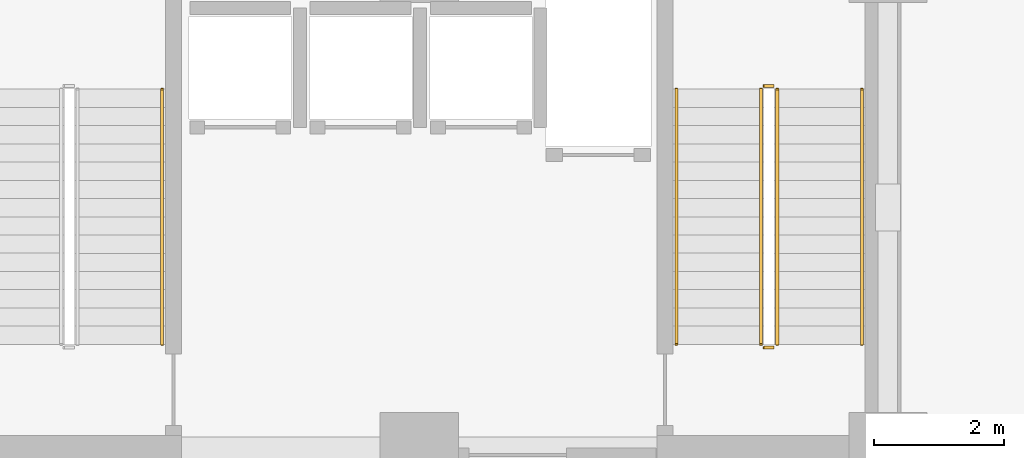
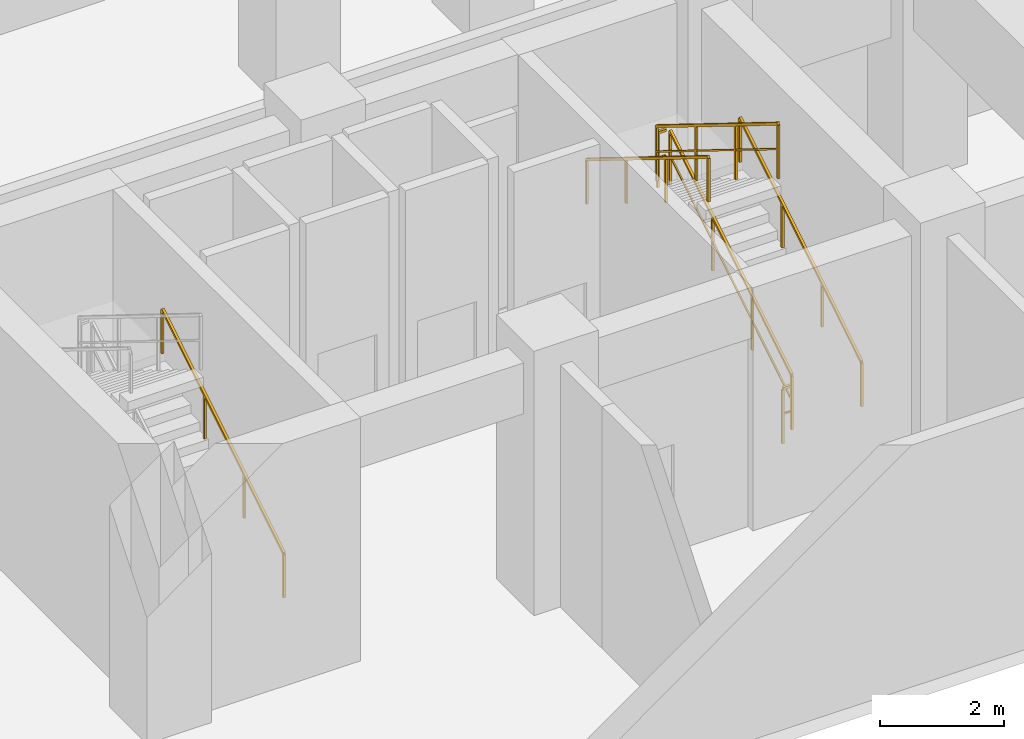
# One storey, part 7 of 8: 7 railings.
"""IFC4 building model written with IfcOpenShell, lengths in metres."""

from ifc_helpers import new_model, si_unit, direction, frame, origin, origin_2d, place, context, subcontext, project, spatial, rectangle, extrude, material, type_object, element, save


model = new_model("IFC4")

# Units and contexts
model_context = context("Model", 3, precision=1e-05, world=origin(), true_north=direction((0.0, 1.0)))
body_context = subcontext(model_context, "Body", "Model", "MODEL_VIEW")
ifc_project = project(units=[si_unit("LENGTHUNIT", "METRE"), si_unit("AREAUNIT", "SQUARE_METRE"), si_unit("VOLUMEUNIT", "CUBIC_METRE"), si_unit("PLANEANGLEUNIT", "RADIAN"), si_unit("MASSUNIT", "GRAM", prefix="KILO")], contexts=[model_context])

# Site, building, storey
site_placement = place(None, origin())
site = spatial("IfcSite", under=ifc_project, at=site_placement, CompositionType="ELEMENT")
building_placement = place(site_placement, origin())
building = spatial("IfcBuilding", under=site, at=building_placement, Name="Kaliganga Portal Commons", CompositionType="ELEMENT")
storey_placement = place(building_placement, frame((0.0, 0.0, 130.39990234375)))
storey = spatial("IfcBuildingStorey", under=building, at=storey_placement, Name="L33", CompositionType="ELEMENT", Elevation=130.39990234375)

# Railings
ifc_material_1 = material(Name="Galvanized Painted Steel Balustrade", Category="steel")
railing_type_1 = type_object("IfcRailingType", Name="RLG-STAIR-GRD", PredefinedType="GUARDRAIL", material=ifc_material_1)
railing_1_placement = place(storey_placement, frame((48.699951171875, 8.699951171875, 0.17333984375)))
element("IfcRailing", 1, at=railing_1_placement, inside=storey, type_object=railing_type_1, Name="L33 ST-B2 stair guard 1", PredefinedType="GUARDRAIL", context=body_context, shape_type="SweptSolid", body=[
    extrude(rectangle(XDim=0.048095703125, YDim=0.048095703125, at=origin_2d()), frame((0.0, 0.0, 1.07177734375), z_axis=(0.0, 0.850266275192, 0.526352791643), x_axis=(-1.0, 0.0, 0.0)), (0.0, 0.0, 1.0), 4.610595703125),
    extrude(rectangle(XDim=0.028076171875, YDim=0.028076171875, at=origin_2d()), frame((0.0, 0.0, 0.572021484375), z_axis=(0.0, 0.850266275192, 0.526352791643), x_axis=(-1.0, 0.0, 0.0)), (0.0, 0.0, 1.0), 4.610595703125),
    extrude(rectangle(XDim=0.0419921875, YDim=0.0419921875, at=origin_2d()), origin(), (0.0, 0.0, 1.0), 1.052001953125),
    extrude(rectangle(XDim=0.0419921875, YDim=0.0419921875, at=origin_2d()), frame((0.0, 1.275390625, 0.78955078125)), (0.0, 0.0, 1.0), 1.052001953125),
    extrude(rectangle(XDim=0.0419921875, YDim=0.0419921875, at=origin_2d()), frame((0.0, 2.55078125, 1.5791015625)), (0.0, 0.0, 1.0), 1.052001953125),
    extrude(rectangle(XDim=0.0419921875, YDim=0.0419921875, at=origin_2d()), frame((0.0, 3.920166015625, 2.4267578125)), (0.0, 0.0, 1.0), 1.052001953125),
])
railing_2_placement = place(storey_placement, frame((48.64990234375, 12.669921875, 2.60009765625)))
element("IfcRailing", 2, at=railing_2_placement, inside=storey, type_object=railing_type_1, Name="L33 ST-B2 stair guard 2", PredefinedType="GUARDRAIL", context=body_context, shape_type="SweptSolid", body=[
    extrude(rectangle(XDim=0.048095703125, YDim=0.048095703125, at=origin_2d()), frame((0.0, 0.0, 1.076171875), z_axis=(-1.0, 0.0, 0.0), x_axis=(0.0, -1.0, 0.0)), (0.0, 0.0, 1.0), 0.14990234375),
    extrude(rectangle(XDim=0.028076171875, YDim=0.028076171875, at=origin_2d()), frame((0.0, 0.0, 0.572021484375), z_axis=(-1.0, 0.0, 0.0), x_axis=(0.0, -1.0, 0.0)), (0.0, 0.0, 1.0), 0.14990234375),
    extrude(rectangle(XDim=0.0419921875, YDim=0.0419921875, at=origin_2d()), frame((-0.14990234375, 0.0, 0.0)), (0.0, 0.0, 1.0), 1.052001953125),
])
railing_3_placement = place(storey_placement, frame((48.449951171875, 12.6201171875, 2.7734375)))
element("IfcRailing", 3, at=railing_3_placement, inside=storey, type_object=railing_type_1, Name="L33 ST-B2 stair guard 3", PredefinedType="GUARDRAIL", context=body_context, shape_type="SweptSolid", body=[
    extrude(rectangle(XDim=0.048095703125, YDim=0.048095703125, at=origin_2d()), frame((0.0, 0.0, 1.07177734375), z_axis=(0.0, -0.850266275192, 0.526352791643), x_axis=(1.0, 0.0, 0.0)), (0.0, 0.0, 1.0), 4.610595703125),
    extrude(rectangle(XDim=0.028076171875, YDim=0.028076171875, at=origin_2d()), frame((0.0, 0.0, 0.572021484375), z_axis=(0.0, -0.850266275192, 0.526352791643), x_axis=(1.0, 0.0, 0.0)), (0.0, 0.0, 1.0), 4.610595703125),
    extrude(rectangle(XDim=0.0419921875, YDim=0.0419921875, at=origin_2d()), origin(), (0.0, 0.0, 1.0), 1.052001953125),
    extrude(rectangle(XDim=0.0419921875, YDim=0.0419921875, at=origin_2d()), frame((0.0, -1.275390625, 0.78955078125)), (0.0, 0.0, 1.0), 1.052001953125),
    extrude(rectangle(XDim=0.0419921875, YDim=0.0419921875, at=origin_2d()), frame((0.0, -2.55078125, 1.5791015625)), (0.0, 0.0, 1.0), 1.052001953125),
    extrude(rectangle(XDim=0.0419921875, YDim=0.0419921875, at=origin_2d()), frame((0.0, -3.920166015625, 2.4267578125)), (0.0, 0.0, 1.0), 1.052001953125),
])
railing_4_placement = place(storey_placement, frame((48.64990234375, 8.64990234375, 0.0)))
element("IfcRailing", 4, at=railing_4_placement, inside=storey, type_object=railing_type_1, Name="L33 ST-B2 stair guard 4", PredefinedType="GUARDRAIL", context=body_context, shape_type="SweptSolid", body=[
    extrude(rectangle(XDim=0.048095703125, YDim=0.048095703125, at=origin_2d()), frame((0.0, 0.0, 1.076171875), z_axis=(-1.0, 0.0, 0.0), x_axis=(0.0, -1.0, 0.0)), (0.0, 0.0, 1.0), 0.14990234375),
    extrude(rectangle(XDim=0.028076171875, YDim=0.028076171875, at=origin_2d()), frame((0.0, 0.0, 0.572021484375), z_axis=(-1.0, 0.0, 0.0), x_axis=(0.0, -1.0, 0.0)), (0.0, 0.0, 1.0), 0.14990234375),
    extrude(rectangle(XDim=0.0419921875, YDim=0.0419921875, at=origin_2d()), frame((-0.14990234375, 0.0, 0.0)), (0.0, 0.0, 1.0), 1.052001953125),
])
ifc_material_2 = material(Name="Brushed Stainless Steel 316", Category="steel")
railing_type_2 = type_object("IfcRailingType", Name="RLG-STAIR-HR", PredefinedType="HANDRAIL", material=ifc_material_2)
for number, where, name in (
    (5, (39.25, 8.699951171875, 0.17333984375), "L33 ST-B1 stair handrail 1"),
    (6, (50.0, 8.699951171875, 0.17333984375), "L33 ST-B2 stair handrail 1"),
):
    element("IfcRailing", number, at=place(storey_placement, frame(where)), inside=storey, type_object=railing_type_2, Name=name, PredefinedType="HANDRAIL", context=body_context, shape_type="SweptSolid", body=[
        extrude(rectangle(XDim=0.048095703125, YDim=0.048095703125, at=origin_2d()), frame((0.0, 0.0, 0.87158203125), z_axis=(0.0, 0.850266275192, 0.526352791643), x_axis=(-1.0, 0.0, 0.0)), (0.0, 0.0, 1.0), 4.610595703125),
        extrude(rectangle(XDim=0.0419921875, YDim=0.0419921875, at=origin_2d()), origin(), (0.0, 0.0, 1.0), 0.851806640625),
        extrude(rectangle(XDim=0.0419921875, YDim=0.0419921875, at=origin_2d()), frame((0.0, 1.275390625, 0.78955078125)), (0.0, 0.0, 1.0), 0.851806640625),
        extrude(rectangle(XDim=0.0419921875, YDim=0.0419921875, at=origin_2d()), frame((0.0, 2.55078125, 1.5791015625)), (0.0, 0.0, 1.0), 0.851806640625),
        extrude(rectangle(XDim=0.0419921875, YDim=0.0419921875, at=origin_2d()), frame((0.0, 3.920166015625, 2.4267578125)), (0.0, 0.0, 1.0), 0.851806640625),
    ])
railing_5_placement = place(storey_placement, frame((47.14990234375, 12.6201171875, 2.7734375)))
element("IfcRailing", 7, at=railing_5_placement, inside=storey, type_object=railing_type_2, Name="L33 ST-B2 stair handrail 2", PredefinedType="HANDRAIL", context=body_context, shape_type="SweptSolid", body=[
    extrude(rectangle(XDim=0.048095703125, YDim=0.048095703125, at=origin_2d()), frame((0.0, 0.0, 0.87158203125), z_axis=(0.0, -0.850266275192, 0.526352791643), x_axis=(1.0, 0.0, 0.0)), (0.0, 0.0, 1.0), 4.610595703125),
    extrude(rectangle(XDim=0.0419921875, YDim=0.0419921875, at=origin_2d()), origin(), (0.0, 0.0, 1.0), 0.851806640625),
    extrude(rectangle(XDim=0.0419921875, YDim=0.0419921875, at=origin_2d()), frame((0.0, -1.275390625, 0.78955078125)), (0.0, 0.0, 1.0), 0.851806640625),
    extrude(rectangle(XDim=0.0419921875, YDim=0.0419921875, at=origin_2d()), frame((0.0, -2.55078125, 1.5791015625)), (0.0, 0.0, 1.0), 0.851806640625),
    extrude(rectangle(XDim=0.0419921875, YDim=0.0419921875, at=origin_2d()), frame((0.0, -3.920166015625, 2.4267578125)), (0.0, 0.0, 1.0), 0.851806640625),
])

save(model, "model.ifc")
